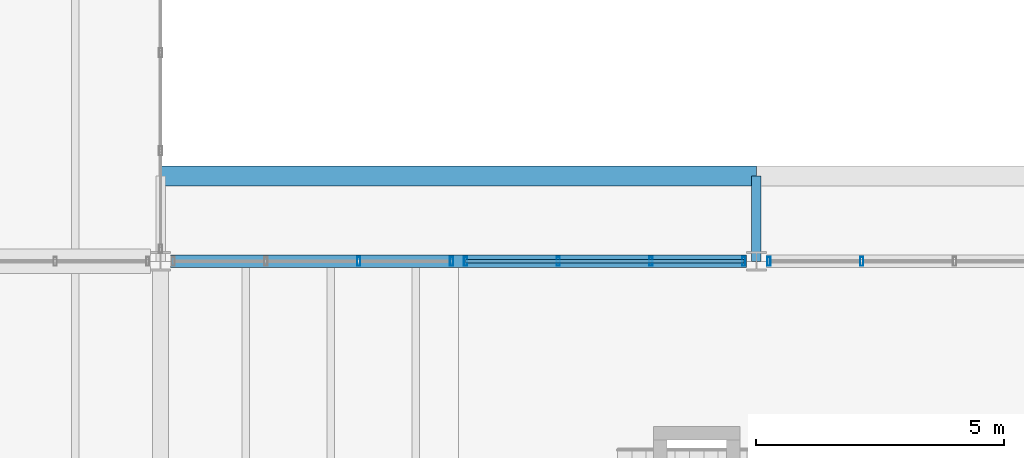
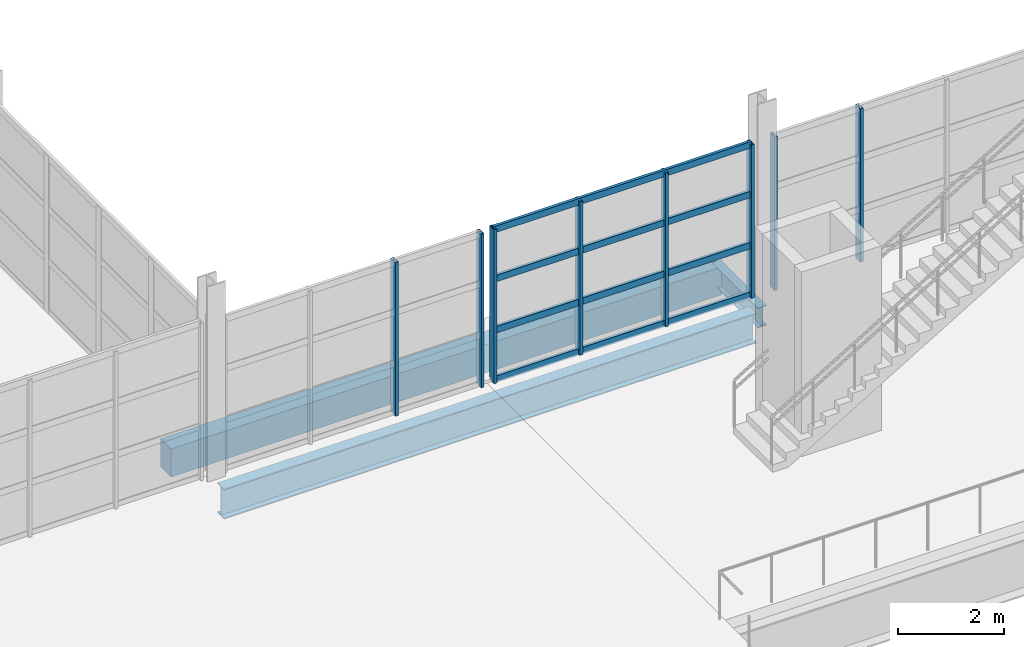
# One storey, part 42 of 114: 12 members, 3 beams, 3 elements without a shape of their own.
"""IFC4 building model written with IfcOpenShell, lengths in metres."""

from ifc_helpers import new_model, si_unit, direction, frame, origin, origin_2d, place, context, subcontext, project, spatial, rectangle, hollow_rectangle, i_section, extrude, material, material_profile, profile_set, type_object, element, aggregate, save


model = new_model("IFC4")

# Units and contexts
model_context = context("Model", 3, precision=1e-05, world=origin(), true_north=direction((0.0, 1.0)))
body_context = subcontext(model_context, "Body", "Model", "MODEL_VIEW")
ifc_project = project(units=[si_unit("LENGTHUNIT", "METRE"), si_unit("AREAUNIT", "SQUARE_METRE"), si_unit("VOLUMEUNIT", "CUBIC_METRE"), si_unit("PLANEANGLEUNIT", "RADIAN"), si_unit("MASSUNIT", "GRAM", prefix="KILO")], contexts=[model_context])

# Site, building, storey
site_placement = place(None, origin())
site = spatial("IfcSite", under=ifc_project, at=site_placement, CompositionType="ELEMENT")
building_placement = place(site_placement, origin())
building = spatial("IfcBuilding", under=site, at=building_placement, Name="Kelmvaro Bay Concert Hall", CompositionType="ELEMENT")
storey_placement = place(building_placement, frame((0.0, 0.0, 4.800048828125)))
storey = spatial("IfcBuildingStorey", under=building, at=storey_placement, Name="L01", CompositionType="ELEMENT", Elevation=4.800048828125)

# Beams
ifc_material_1 = material(Name="Concrete C40/50", Category="concrete")
ifc_material_profile_1 = material_profile(ifc_material_1, rectangle(XDim=0.39990234375, YDim=0.64990234375, at=origin_2d()), Name="RC-BM-400X650")
ifc_profile_set_1 = profile_set([ifc_material_profile_1], Name="Concrete C40/50")
beam_type_1 = type_object("IfcBeamType", Name="Canopy Edge Concrete Beam RC400x650", PredefinedType="BEAM", material=ifc_profile_set_1)
beam_1_placement = place(storey_placement, frame((60.0, 40.719970703125, -0.6650390625), z_axis=(1.0, 0.0, 0.0), x_axis=(0.0, 1.0, 0.0)))
element("IfcBeam", 1, at=beam_1_placement, inside=storey, type_object=beam_type_1, Name="Storm Eave Fascia Beam CRT-12", PredefinedType="BEAM", context=body_context, shape_type="SweptSolid", body=[
    extrude(rectangle(XDim=0.39990234375, YDim=0.64990234375, at=origin_2d()), origin(), (0.0, 0.0, 1.0), 12.0),
])
ifc_material_2 = material(Name="Steel ASTM A992 Grade 50", Category="steel")
ifc_material_profile_2 = material_profile(ifc_material_2, i_section(OverallWidth=0.19189453125, OverallDepth=0.4619140625, WebThickness=0.010498046875, FlangeThickness=0.017578125, at=origin_2d()), Name="W18X60")
ifc_profile_set_2 = profile_set([ifc_material_profile_2], Name="Steel ASTM A992 Grade 50")
beam_type_2 = type_object("IfcBeamType", Name="Canopy Primary Frame Beam W18x60", PredefinedType="BEAM", material=ifc_profile_set_2)
beam_2_placement = place(storey_placement, frame((72.0, 39.0, -0.571044921875), z_axis=(0.0, 1.0, 0.0), x_axis=(-1.0, 0.0, 0.0)))
element("IfcBeam", 2, at=beam_2_placement, inside=storey, type_object=beam_type_2, Name="Storm Eave Cantilever Bracket CRT-16", PredefinedType="BEAM", context=body_context, shape_type="SweptSolid", body=[
    extrude(i_section(OverallWidth=0.19189453125, OverallDepth=0.4619140625, WebThickness=0.010498046875, FlangeThickness=0.017578125, at=origin_2d()), origin(), (0.0, 0.0, 1.0), 1.719970703125),
])

# Curtain wall, members
ifc_material_3 = material(Name="Anodised Aluminium and Low-E Insulated Glazing", Category="aluminium")
curtain_wall_type = type_object("IfcCurtainWallType", Name="Mezzanine Concourse Curtain Wall 4100", PredefinedType="USERDEFINED", material=ifc_material_3)
curtain_wall_1_placement = place(storey_placement, origin())
curtain_wall_1 = element("IfcCurtainWall", 3, at=curtain_wall_1_placement, inside=storey, type_object=curtain_wall_type, Name="Unitised Curtain Wall CW-L01-068", ObjectType="UNITISED GLAZING", PredefinedType="USERDEFINED")
ifc_material_4 = material(Name="Anodised Extruded Aluminium 6063-T6", Category="aluminium")
ifc_material_profile_3 = material_profile(ifc_material_4, hollow_rectangle(XDim=0.06494140625, YDim=0.179931640625, WallThickness=0.00390625, at=origin_2d()), Name="ALU-MUL-180X65")
ifc_profile_set_3 = profile_set([ifc_material_profile_3], Name="Anodised Extruded Aluminium 6063-T6")
member_type_1 = type_object("IfcMemberType", Name="Curtain Mullion ALU 180x65", PredefinedType="MULLION", material=ifc_profile_set_3)
member_1_placement = place(storey_placement, frame((63.991455078125, 39.0, 0.0), z_axis=(0.0, 0.0, 1.0), x_axis=(1.0, 0.0, 0.0)))
member_1 = element("IfcMember", 4, at=member_1_placement, type_object=member_type_1, Name="CW-L01-068 Mullion 03", PredefinedType="MULLION", context=body_context, shape_type="SweptSolid", body=[
    extrude(hollow_rectangle(XDim=0.06494140625, YDim=0.179931640625, WallThickness=0.00390625, at=origin_2d()), origin(), (0.0, 0.0, 1.0), 3.536865234375),
])
member_2_placement = place(storey_placement, frame((65.860107421875, 39.0, 0.0), z_axis=(0.0, 0.0, 1.0), x_axis=(1.0, 0.0, 0.0)))
member_2 = element("IfcMember", 5, at=member_2_placement, type_object=member_type_1, Name="CW-L01-068 Mullion 04", PredefinedType="MULLION", context=body_context, shape_type="SweptSolid", body=[
    extrude(hollow_rectangle(XDim=0.06494140625, YDim=0.179931640625, WallThickness=0.00390625, at=origin_2d()), origin(), (0.0, 0.0, 1.0), 3.536865234375),
])
aggregate(curtain_wall_1, [member_1, member_2])

curtain_wall_2_placement = place(storey_placement, origin())
curtain_wall_2 = element("IfcCurtainWall", 6, at=curtain_wall_2_placement, inside=storey, type_object=curtain_wall_type, Name="Unitised Curtain Wall CW-L01-069", ObjectType="UNITISED GLAZING", PredefinedType="USERDEFINED")
member_3_placement = place(storey_placement, frame((66.139892578125, 39.0, 0.0), z_axis=(0.0, 0.0, 1.0), x_axis=(1.0, 0.0, 0.0)))
member_3 = element("IfcMember", 7, at=member_3_placement, type_object=member_type_1, Name="CW-L01-069 Mullion 01", PredefinedType="MULLION", context=body_context, shape_type="SweptSolid", body=[
    extrude(hollow_rectangle(XDim=0.06494140625, YDim=0.179931640625, WallThickness=0.00390625, at=origin_2d()), origin(), (0.0, 0.0, 1.0), 3.536865234375),
])
member_4_placement = place(storey_placement, frame((68.008544921875, 39.0, 0.0), z_axis=(0.0, 0.0, 1.0), x_axis=(1.0, 0.0, 0.0)))
member_4 = element("IfcMember", 8, at=member_4_placement, type_object=member_type_1, Name="CW-L01-069 Mullion 02", PredefinedType="MULLION", context=body_context, shape_type="SweptSolid", body=[
    extrude(hollow_rectangle(XDim=0.06494140625, YDim=0.179931640625, WallThickness=0.00390625, at=origin_2d()), origin(), (0.0, 0.0, 1.0), 3.536865234375),
])
member_5_placement = place(storey_placement, frame((69.876953125, 39.0, 0.0), z_axis=(0.0, 0.0, 1.0), x_axis=(1.0, 0.0, 0.0)))
member_5 = element("IfcMember", 9, at=member_5_placement, type_object=member_type_1, Name="CW-L01-069 Mullion 03", PredefinedType="MULLION", context=body_context, shape_type="SweptSolid", body=[
    extrude(hollow_rectangle(XDim=0.06494140625, YDim=0.179931640625, WallThickness=0.00390625, at=origin_2d()), origin(), (0.0, 0.0, 1.0), 3.536865234375),
])
member_6_placement = place(storey_placement, frame((71.74560546875, 39.0, 0.0), z_axis=(0.0, 0.0, 1.0), x_axis=(1.0, 0.0, 0.0)))
member_6 = element("IfcMember", 10, at=member_6_placement, type_object=member_type_1, Name="CW-L01-069 Mullion 04", PredefinedType="MULLION", context=body_context, shape_type="SweptSolid", body=[
    extrude(hollow_rectangle(XDim=0.06494140625, YDim=0.179931640625, WallThickness=0.00390625, at=origin_2d()), origin(), (0.0, 0.0, 1.0), 3.536865234375),
])

curtain_wall_3_placement = place(storey_placement, origin())
curtain_wall_3 = element("IfcCurtainWall", 11, at=curtain_wall_3_placement, inside=storey, type_object=curtain_wall_type, Name="Unitised Curtain Wall CW-L01-070", ObjectType="UNITISED GLAZING", PredefinedType="USERDEFINED")
member_7_placement = place(storey_placement, frame((72.25439453125, 39.0, 0.0), z_axis=(0.0, 0.0, 1.0), x_axis=(1.0, 0.0, 0.0)))
member_7 = element("IfcMember", 12, at=member_7_placement, type_object=member_type_1, Name="CW-L01-070 Mullion 01", PredefinedType="MULLION", context=body_context, shape_type="SweptSolid", body=[
    extrude(hollow_rectangle(XDim=0.06494140625, YDim=0.179931640625, WallThickness=0.00390625, at=origin_2d()), origin(), (0.0, 0.0, 1.0), 3.536865234375),
])
member_8_placement = place(storey_placement, frame((74.123046875, 39.0, 0.0), z_axis=(0.0, 0.0, 1.0), x_axis=(1.0, 0.0, 0.0)))
member_8 = element("IfcMember", 13, at=member_8_placement, type_object=member_type_1, Name="CW-L01-070 Mullion 02", PredefinedType="MULLION", context=body_context, shape_type="SweptSolid", body=[
    extrude(hollow_rectangle(XDim=0.06494140625, YDim=0.179931640625, WallThickness=0.00390625, at=origin_2d()), origin(), (0.0, 0.0, 1.0), 3.536865234375),
])
aggregate(curtain_wall_3, [member_7, member_8])

# Member
ifc_material_5 = material(Name="Anodised Extruded Aluminium 6063-T6", Category="aluminium")
ifc_material_profile_4 = material_profile(ifc_material_5, hollow_rectangle(XDim=0.06494140625, YDim=0.14990234375, WallThickness=0.00390625, at=origin_2d()), Name="ALU-TRN-150X65")
ifc_profile_set_4 = profile_set([ifc_material_profile_4], Name="Anodised Extruded Aluminium 6063-T6")
member_type_2 = type_object("IfcMemberType", Name="Curtain Transom ALU 150x65", PredefinedType="USERDEFINED", material=ifc_profile_set_4)
member_9_placement = place(storey_placement, frame((66.139892578125, 39.0, 0.0400390625), z_axis=(1.0, 0.0, 0.0), x_axis=(0.0, 1.0, 0.0)))
member_9 = element("IfcMember", 14, at=member_9_placement, type_object=member_type_2, Name="CW-L01-069 Transom 01", ObjectType="TRANSOM", PredefinedType="USERDEFINED", context=body_context, shape_type="SweptSolid", body=[
    extrude(hollow_rectangle(XDim=0.06494140625, YDim=0.14990234375, WallThickness=0.00390625, at=origin_2d()), origin(), (0.0, 0.0, 1.0), 5.605712890625),
])

member_10_placement = place(storey_placement, frame((66.139892578125, 39.0, 1.178955078125), z_axis=(1.0, 0.0, 0.0), x_axis=(0.0, 1.0, 0.0)))
member_10 = element("IfcMember", 15, at=member_10_placement, type_object=member_type_2, Name="CW-L01-069 Transom 02", ObjectType="TRANSOM", PredefinedType="USERDEFINED", context=body_context, shape_type="SweptSolid", body=[
    extrude(hollow_rectangle(XDim=0.06494140625, YDim=0.14990234375, WallThickness=0.00390625, at=origin_2d()), origin(), (0.0, 0.0, 1.0), 5.605712890625),
])

member_11_placement = place(storey_placement, frame((66.139892578125, 39.0, 2.35791015625), z_axis=(1.0, 0.0, 0.0), x_axis=(0.0, 1.0, 0.0)))
member_11 = element("IfcMember", 16, at=member_11_placement, type_object=member_type_2, Name="CW-L01-069 Transom 03", ObjectType="TRANSOM", PredefinedType="USERDEFINED", context=body_context, shape_type="SweptSolid", body=[
    extrude(hollow_rectangle(XDim=0.06494140625, YDim=0.14990234375, WallThickness=0.00390625, at=origin_2d()), origin(), (0.0, 0.0, 1.0), 5.605712890625),
])

member_12_placement = place(storey_placement, frame((66.139892578125, 39.0, 3.4970703125), z_axis=(1.0, 0.0, 0.0), x_axis=(0.0, 1.0, 0.0)))
member_12 = element("IfcMember", 17, at=member_12_placement, type_object=member_type_2, Name="CW-L01-069 Transom 04", ObjectType="TRANSOM", PredefinedType="USERDEFINED", context=body_context, shape_type="SweptSolid", body=[
    extrude(hollow_rectangle(XDim=0.06494140625, YDim=0.14990234375, WallThickness=0.00390625, at=origin_2d()), origin(), (0.0, 0.0, 1.0), 5.605712890625),
])

aggregate(curtain_wall_2, [member_3, member_4, member_5, member_6, member_9, member_10, member_11, member_12])

# Beam
ifc_material_6 = material(Name="Steel ASTM A992 Grade 50", Category="steel")
ifc_material_profile_5 = material_profile(ifc_material_6, i_section(OverallWidth=0.256103515625, OverallDepth=0.693115234375, WebThickness=0.014404296875, FlangeThickness=0.023681640625, at=origin_2d()), Name="W27X114")
ifc_profile_set_5 = profile_set([ifc_material_profile_5], Name="Steel ASTM A992 Grade 50")
beam_type_3 = type_object("IfcBeamType", Name="Foyer Primary Girder W27x114", PredefinedType="BEAM", material=ifc_profile_set_5)
beam_3_placement = place(storey_placement, frame((60.199462890625, 39.0, -0.6865234375), z_axis=(1.0, 0.0, 0.0), x_axis=(0.0, 1.0, 0.0)))
element("IfcBeam", 18, at=beam_3_placement, inside=storey, type_object=beam_type_3, Name="L01 Girder BM-L01-EW-0050", PredefinedType="BEAM", context=body_context, shape_type="SweptSolid", body=[
    extrude(i_section(OverallWidth=0.256103515625, OverallDepth=0.693115234375, WebThickness=0.014404296875, FlangeThickness=0.023681640625, at=origin_2d()), origin(), (0.0, 0.0, 1.0), 11.60107421875),
])

save(model, "model.ifc")
